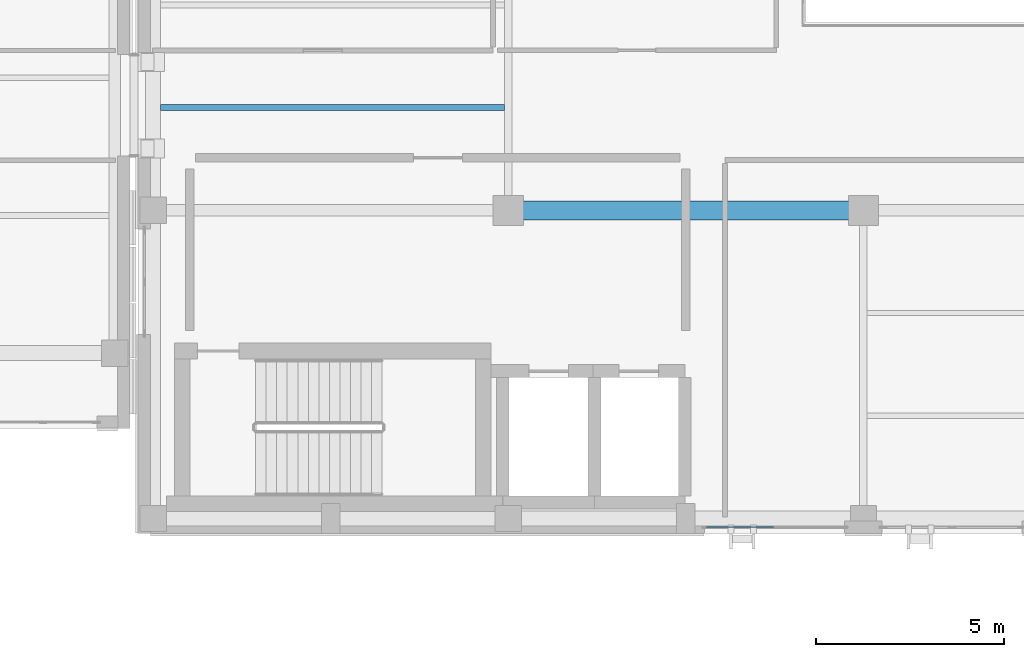
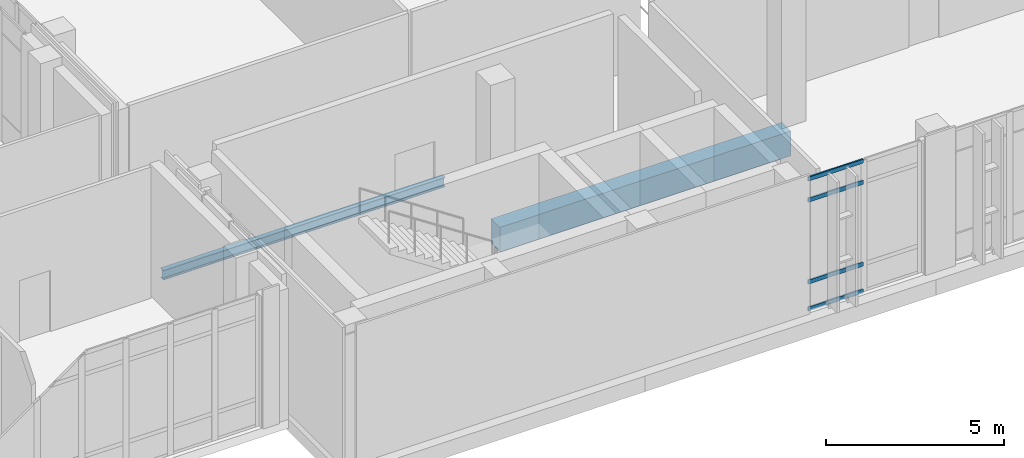
# One storey, part 11 of 189: 4 members, 2 beams, 1 element without a shape of its own.
"""IFC4 building model written with IfcOpenShell, lengths in metres."""

from ifc_helpers import new_model, si_unit, direction, frame, origin, origin_2d, place, context, subcontext, project, spatial, rectangle, hollow_rectangle, i_section, extrude, material, layer, layer_set, material_profile, profile_set, type_object, element, aggregate, save


model = new_model("IFC4")

# Units and contexts
model_context = context("Model", 3, precision=1e-05, world=origin(), true_north=direction((0.0, 1.0)))
body_context = subcontext(model_context, "Body", "Model", "MODEL_VIEW")
ifc_project = project(units=[si_unit("LENGTHUNIT", "METRE"), si_unit("AREAUNIT", "SQUARE_METRE"), si_unit("VOLUMEUNIT", "CUBIC_METRE"), si_unit("PLANEANGLEUNIT", "RADIAN"), si_unit("MASSUNIT", "GRAM", prefix="KILO")], contexts=[model_context])

# Site, building, storey
site_placement = place(None, origin())
site = spatial("IfcSite", under=ifc_project, at=site_placement, CompositionType="ELEMENT")
building_placement = place(site_placement, origin())
building = spatial("IfcBuilding", under=site, at=building_placement, Name="Qalavern Law Courts", CompositionType="ELEMENT")
storey_placement = place(building_placement, frame((0.0, 0.0, 5.39990234375)))
storey = spatial("IfcBuildingStorey", under=building, at=storey_placement, Name="L01", CompositionType="ELEMENT", Elevation=5.39990234375)

# Curtain wall, members
ifc_material_1 = material(Name="Anodised aluminium and insulated glazing", Category="aluminium")
ifc_layer = layer(ifc_material_1, 0.18505859375)
ifc_layer_set = layer_set([ifc_layer], Name="Anodised aluminium and insulated glazing")
curtain_wall_type = type_object("IfcCurtainWallType", Name="ENV-CW-HALL", PredefinedType="USERDEFINED", material=ifc_layer_set)
curtain_wall_placement = place(storey_placement, origin())
curtain_wall = element("IfcCurtainWall", 1, at=curtain_wall_placement, inside=storey, type_object=curtain_wall_type, Name="V2 unitised curtain wall L01 south 1", ObjectType="UNITISED CURTAIN WALL", PredefinedType="USERDEFINED")
ifc_material_2 = material(Name="Anodised aluminium", Category="aluminium")
ifc_material_profile_1 = material_profile(ifc_material_2, hollow_rectangle(XDim=0.048095703125, YDim=0.139892578125, WallThickness=0.00390625, at=origin_2d()), Name="ALU TRANSOM 48x140")
ifc_profile_set_1 = profile_set([ifc_material_profile_1], Name="Anodised aluminium")
member_type = type_object("IfcMemberType", Name="ENV-CWT-48x140", PredefinedType="USERDEFINED", material=ifc_profile_set_1)
member_1_placement = place(storey_placement, frame((49.34912109375, 5.362548828125, 0.024169921875), z_axis=(1.0, 0.0, 0.0), x_axis=(0.0, 1.0, 0.0)))
member_1 = element("IfcMember", 2, at=member_1_placement, type_object=member_type, Name="CW-02 transom 1.1", ObjectType="TRANSOM", PredefinedType="USERDEFINED", context=body_context, shape_type="SweptSolid", body=[
    extrude(hollow_rectangle(XDim=0.048095703125, YDim=0.139892578125, WallThickness=0.00390625, at=origin_2d()), origin(), (0.0, 0.0, 1.0), 1.791748046875),
])
member_2_placement = place(storey_placement, frame((49.34912109375, 5.362548828125, 0.9501953125), z_axis=(1.0, 0.0, 0.0), x_axis=(0.0, 1.0, 0.0)))
member_2 = element("IfcMember", 3, at=member_2_placement, type_object=member_type, Name="CW-02 transom 1.2", ObjectType="TRANSOM", PredefinedType="USERDEFINED", context=body_context, shape_type="SweptSolid", body=[
    extrude(hollow_rectangle(XDim=0.048095703125, YDim=0.139892578125, WallThickness=0.00390625, at=origin_2d()), origin(), (0.0, 0.0, 1.0), 1.791748046875),
])
member_3_placement = place(storey_placement, frame((49.34912109375, 5.362548828125, 3.760009765625), z_axis=(1.0, 0.0, 0.0), x_axis=(0.0, 1.0, 0.0)))
member_3 = element("IfcMember", 4, at=member_3_placement, type_object=member_type, Name="CW-02 transom 1.3", ObjectType="TRANSOM", PredefinedType="USERDEFINED", context=body_context, shape_type="SweptSolid", body=[
    extrude(hollow_rectangle(XDim=0.048095703125, YDim=0.139892578125, WallThickness=0.00390625, at=origin_2d()), origin(), (0.0, 0.0, 1.0), 1.791748046875),
])
member_4_placement = place(storey_placement, frame((49.34912109375, 5.362548828125, 4.486083984375), z_axis=(1.0, 0.0, 0.0), x_axis=(0.0, 1.0, 0.0)))
member_4 = element("IfcMember", 5, at=member_4_placement, type_object=member_type, Name="CW-02 transom 1.4", ObjectType="TRANSOM", PredefinedType="USERDEFINED", context=body_context, shape_type="SweptSolid", body=[
    extrude(hollow_rectangle(XDim=0.048095703125, YDim=0.139892578125, WallThickness=0.00390625, at=origin_2d()), origin(), (0.0, 0.0, 1.0), 1.791748046875),
])
aggregate(curtain_wall, [member_1, member_2, member_3, member_4])

# Beams
ifc_material_3 = material(Name="Concrete C40/50", Category="concrete")
ifc_material_profile_2 = material_profile(ifc_material_3, rectangle(XDim=0.5, YDim=0.85009765625, at=origin_2d()), Name="RC 500x850")
ifc_profile_set_2 = profile_set([ifc_material_profile_2], Name="Concrete C40/50")
beam_type_1 = type_object("IfcBeamType", Name="STR-BM-RC500x850", PredefinedType="BEAM", material=ifc_profile_set_2)
beam_1_placement = place(storey_placement, frame((44.07421875, 13.800048828125, -0.724853515625), z_axis=(1.0, 0.0, 0.0), x_axis=(0.0, 1.0, 0.0)))
element("IfcBeam", 6, at=beam_1_placement, inside=storey, type_object=beam_type_1, Name="V2 X-beam 2-2 L01", PredefinedType="BEAM", context=body_context, shape_type="SweptSolid", body=[
    extrude(rectangle(XDim=0.5, YDim=0.85009765625, at=origin_2d()), origin(), (0.0, 0.0, 1.0), 9.454345703125),
])
ifc_material_4 = material(Name="Steel S355", Category="steel")
ifc_material_profile_3 = material_profile(ifc_material_4, i_section(OverallWidth=0.159912109375, OverallDepth=0.330078125, WebThickness=0.007568359375, FlangeThickness=0.011474609375, FilletRadius=0.01806640625, at=origin_2d()), Name="IPE 330")
ifc_profile_set_3 = profile_set([ifc_material_profile_3], Name="Steel S355")
beam_type_2 = type_object("IfcBeamType", Name="STR-JST-IPE330", PredefinedType="JOIST", material=ifc_profile_set_3)
beam_2_placement = place(storey_placement, frame((34.818115234375, 16.533203125, -0.46484375), z_axis=(1.0, 0.0, 0.0), x_axis=(0.0, 1.0, 0.0)))
element("IfcBeam", 7, at=beam_2_placement, inside=storey, type_object=beam_type_2, Name="V2 secondary joist 1.2.1 L01", PredefinedType="JOIST", context=body_context, shape_type="SweptSolid", body=[
    extrude(i_section(OverallWidth=0.159912109375, OverallDepth=0.330078125, WebThickness=0.007568359375, FlangeThickness=0.011474609375, FilletRadius=0.01806640625, at=origin_2d()), origin(), (0.0, 0.0, 1.0), 9.158203125),
])

save(model, "model.ifc")
